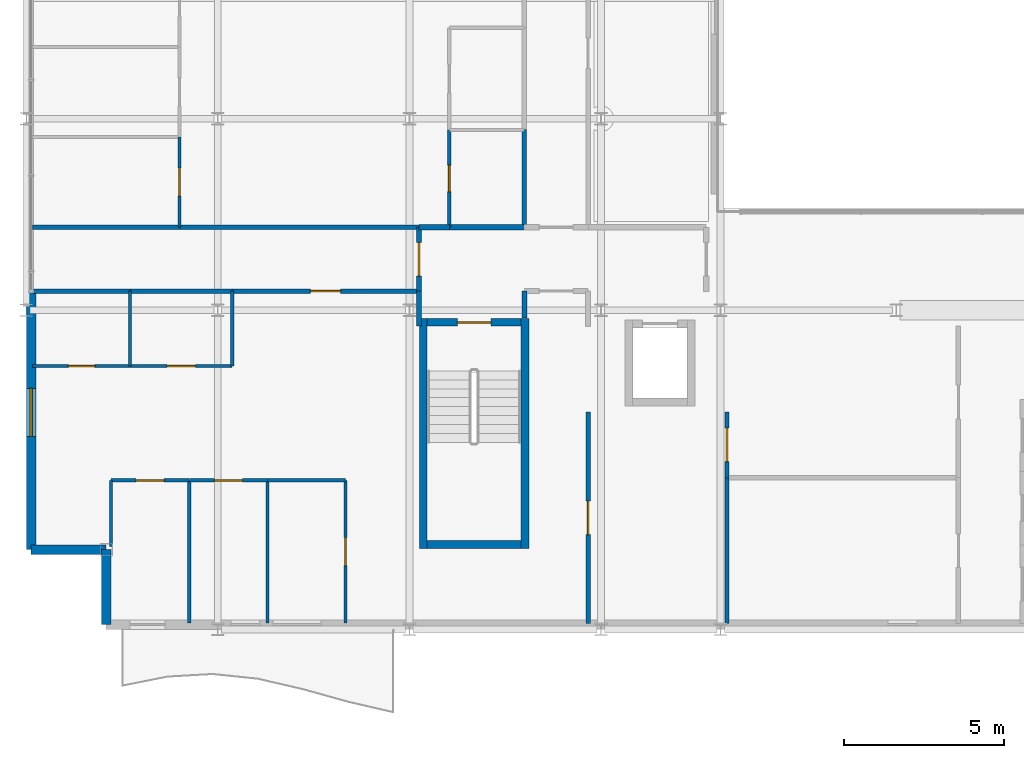
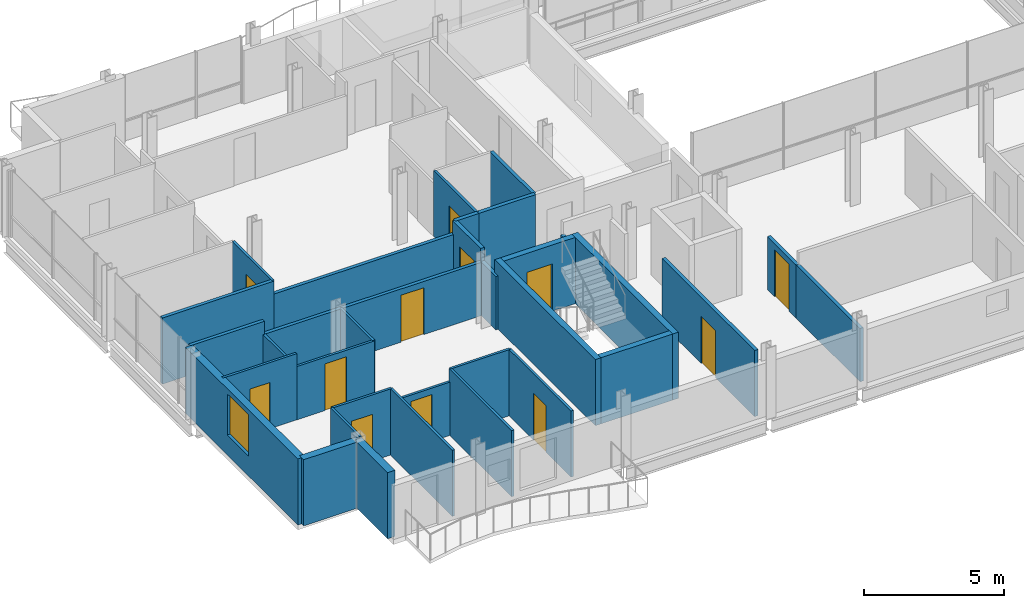
# One storey, part 28 of 35: 34 walls, 12 doors, 1 window, 13 openings.
"""IFC4 building model written with IfcOpenShell, lengths in metres."""

from ifc_helpers import new_model, si_unit, direction, frame, frame_2d, origin, place, context, subcontext, project, spatial, rectangle, extrude, material, layer, layer_set, type_object, element, fill, save


model = new_model("IFC4")

# Units and contexts
model_context = context("Model", 3, precision=1e-05, world=origin(), true_north=direction((0.0, 1.0)))
body_context = subcontext(model_context, "Body", "Model", "MODEL_VIEW")
ifc_project = project(units=[si_unit("LENGTHUNIT", "METRE"), si_unit("AREAUNIT", "SQUARE_METRE"), si_unit("VOLUMEUNIT", "CUBIC_METRE"), si_unit("PLANEANGLEUNIT", "RADIAN"), si_unit("MASSUNIT", "GRAM", prefix="KILO")], contexts=[model_context])

# Site, building, storey
site_placement = place(None, origin())
site = spatial("IfcSite", under=ifc_project, at=site_placement, CompositionType="ELEMENT")
building_placement = place(site_placement, origin())
building = spatial("IfcBuilding", under=site, at=building_placement, Name="Brevholm Reach", CompositionType="ELEMENT")
storey_placement = place(building_placement, frame((0.0, 0.0, 183.199951171875)))
storey = spatial("IfcBuildingStorey", under=building, at=storey_placement, Name="L55", CompositionType="ELEMENT", Elevation=183.199951171875)

# Walls
ifc_material_1 = material(Name="Concrete C45/55", Category="concrete")
ifc_layer_1 = layer(ifc_material_1, 0.239990234375)
ifc_layer_set_1 = layer_set([ifc_layer_1], Name="Concrete C45/55")
wall_type_1 = type_object("IfcWallType", Name="WAL-COR-240", PredefinedType="SHEAR", material=ifc_layer_set_1)
for number, where, z_axis, x_axis, name in (
    (1, (12.429931640625, 2.5400390625, 0.0), (0.0, 0.0, 1.0), (0.0, 1.0, 0.0), "L55 Escape Stair ST-1 Core Wall W"),
    (2, (15.6201171875, 2.5400390625, 0.0), (0.0, 0.0, 1.0), (0.0, 1.0, 0.0), "L55 Escape Stair ST-1 Core Wall E"),
):
    element("IfcWall", number, at=place(storey_placement, frame(where, z_axis=z_axis, x_axis=x_axis)), inside=storey, type_object=wall_type_1, Name=name, PredefinedType="SHEAR", context=body_context, shape_type="SweptSolid", body=[
        extrude(rectangle(XDim=7.199951171875, YDim=0.239990234375, at=frame_2d((3.60009765625, 0.0))), origin(), (0.0, 0.0, 1.0), 2.89013671875),
    ])
wall_1_placement = place(storey_placement, frame((12.550048828125, 2.659912109375, 0.0), z_axis=(0.0, 0.0, 1.0), x_axis=(1.0, 0.0, 0.0)))
element("IfcWall", 3, at=wall_1_placement, inside=storey, type_object=wall_type_1, Name="L55 Escape Stair ST-1 Core Wall S", PredefinedType="SHEAR", context=body_context, shape_type="SweptSolid", body=[
    extrude(rectangle(XDim=2.949951171875, YDim=0.239990234375, at=frame_2d((1.47509765625, 0.0))), origin(), (0.0, 0.0, 1.0), 2.89013671875),
])

# Wall, opening, door
wall_2_placement = place(storey_placement, frame((15.5, 9.6201171875, 0.0), z_axis=(0.0, 0.0, 1.0), x_axis=(-1.0, 0.0, 0.0)))
wall_2 = element("IfcWall", 4, at=wall_2_placement, inside=storey, type_object=wall_type_1, Name="L55 Escape Stair ST-1 Core Wall N", PredefinedType="SHEAR", context=body_context, shape_type="SweptSolid", body=[
    extrude(rectangle(XDim=2.949951171875, YDim=0.239990234375, at=frame_2d((1.47509765625, 0.0))), origin(), (0.0, 0.0, 1.0), 2.89013671875),
])
opening_1_placement = place(wall_2_placement, frame((0.949951171875, 0.0, 0.0)))
opening_1 = element("IfcOpeningElement", 5, at=opening_1_placement, cuts=wall_2, Name="Opening SD-ST-1", PredefinedType="OPENING", context=body_context, shape_type="SweptSolid", body=[
    extrude(rectangle(XDim=1.050048828125, YDim=2.06005859375, at=frame_2d((0.52490234375, 1.030029296875))), frame((0.0, 0.1298828125, 0.0), z_axis=(0.0, -1.0, 0.0), x_axis=(1.0, 0.0, 0.0)), (0.0, 0.0, 1.0), 0.260009765625),
])
ifc_material_2 = material(Name="Hardwood-Lipped Steel-Core Fire and Smoke Door", Category="steel")
door_type_1 = type_object("IfcDoorType", Name="DOR-INT-FD60S", OperationType="NOTDEFINED", PredefinedType="DOOR", material=ifc_material_2)
door_1_placement = place(opening_1_placement, origin())
door_1 = element("IfcDoor", 6, at=door_1_placement, inside=storey, type_object=door_type_1, Name="L55 Protected Stair ST-1 Lobby Door", OperationType="SINGLE_SWING_LEFT", OverallHeight=2.06005859375, OverallWidth=1.050048828125, PredefinedType="DOOR", context=body_context, shape_type="SweptSolid", body=[
    extrude(rectangle(XDim=1.050048828125, YDim=2.06005859375, at=frame_2d((0.52490234375, 1.030029296875))), frame((0.0, 0.02490234375, 0.0), z_axis=(0.0, -1.0, 0.0), x_axis=(1.0, 0.0, 0.0)), (0.0, 0.0, 1.0), 0.050048828125),
])
fill(opening_1, door_1)

# Walls
ifc_material_3 = material(Name="Concrete C40/50", Category="concrete")
ifc_layer_2 = layer(ifc_material_3, 0.300048828125)
ifc_layer_set_2 = layer_set([ifc_layer_2], Name="Concrete C40/50")
wall_type_2 = type_object("IfcWallType", Name="WAL-EXT-300", PredefinedType="STANDARD", material=ifc_layer_set_2)
for number, where, z_axis, x_axis, name in (
    (7, (2.5, 2.5, 0.0), (0.0, 0.0, 1.0), (0.0, -1.0, 0.0), "L55 Facade Wall WAL-L55-CSW1"),
    (8, (0.14990234375, 2.5, 0.0), (0.0, 0.0, 1.0), (1.0, 0.0, 0.0), "L55 Facade Wall WAL-L55-CSW2"),
):
    element("IfcWall", number, at=place(storey_placement, frame(where, z_axis=z_axis, x_axis=x_axis)), inside=storey, type_object=wall_type_2, Name=name, PredefinedType="STANDARD", context=body_context, shape_type="SweptSolid", body=[
        extrude(rectangle(XDim=2.35009765625, YDim=0.300048828125, at=frame_2d((1.175048828125, 0.0))), origin(), (0.0, 0.0, 1.0), 2.89013671875),
    ])

# Wall, opening, window
wall_3_placement = place(storey_placement, frame((0.14990234375, 10.550048828125, 0.0), z_axis=(0.0, 0.0, 1.0), x_axis=(0.0, -1.0, 0.0)))
wall_3 = element("IfcWall", 9, at=wall_3_placement, inside=storey, type_object=wall_type_2, Name="L55 Facade Wall WAL-L55-W-S", PredefinedType="STANDARD", context=body_context, shape_type="SweptSolid", body=[
    extrude(rectangle(XDim=8.050048828125, YDim=0.300048828125, at=frame_2d((4.02490234375, 0.0))), origin(), (0.0, 0.0, 1.0), 2.89013671875),
])
opening_2_placement = place(wall_3_placement, frame((3.0, 0.0, 0.8701171875)))
opening_2 = element("IfcOpeningElement", 10, at=opening_2_placement, cuts=wall_3, Name="Opening WN-05", PredefinedType="OPENING", context=body_context, shape_type="SweptSolid", body=[
    extrude(rectangle(XDim=1.5, YDim=1.800048828125, at=frame_2d((0.75, 0.89990234375))), frame((0.0, 0.159912109375, 0.0), z_axis=(0.0, -1.0, 0.0), x_axis=(1.0, 0.0, 0.0)), (0.0, 0.0, 1.0), 0.320068359375),
])
ifc_material_4 = material(Name="Dark Anodised Aluminium and Solar-Control IGU Glass", Category="aluminium")
window_type = type_object("IfcWindowType", Name="WIN-RES-1500", PartitioningType="SINGLE_PANEL", PredefinedType="WINDOW", material=ifc_material_4)
window_placement = place(opening_2_placement, origin())
window = element("IfcWindow", 11, at=window_placement, inside=storey, type_object=window_type, Name="L55 Window WIN-L55-WS-1", OverallHeight=1.800048828125, OverallWidth=1.5, PartitioningType="SINGLE_PANEL", PredefinedType="WINDOW", context=body_context, shape_type="SweptSolid", body=[
    extrude(rectangle(XDim=1.5, YDim=1.800048828125, at=frame_2d((0.75, 0.89990234375))), frame((0.0, 0.030029296875, 0.0), z_axis=(0.0, -1.0, 0.0), x_axis=(1.0, 0.0, 0.0)), (0.0, 0.0, 1.0), 0.06005859375),
])
fill(opening_2, window)

# Wall
ifc_material_5 = material(Name="Moisture-Resistant Acoustic Gypsum Stud Partition 100 mm", Category="gypsum")
ifc_layer_3 = layer(ifc_material_5, 0.10009765625)
ifc_layer_set_3 = layer_set([ifc_layer_3], Name="Moisture-Resistant Acoustic Gypsum Stud Partition 100 mm")
wall_type_3 = type_object("IfcWallType", Name="WAL-PRT-100", PredefinedType="PARTITIONING", material=ifc_layer_set_3)
wall_4_placement = place(storey_placement, frame((3.25, 8.25, 0.0), z_axis=(0.0, 0.0, 1.0), x_axis=(0.0, 1.0, 0.0)))
element("IfcWall", 12, at=wall_4_placement, inside=storey, type_object=wall_type_3, Name="L55 Internal Partition 057", PredefinedType="PARTITIONING", context=body_context, shape_type="SweptSolid", body=[
    extrude(rectangle(XDim=2.345947265625, YDim=0.10009765625, at=frame_2d((1.1728515625, 0.0))), origin(), (0.0, 0.0, 1.0), 2.325439453125),
])

# Wall, opening, door
wall_5_placement = place(storey_placement, frame((0.199951171875, 8.25, 0.0), z_axis=(0.0, 0.0, 1.0), x_axis=(1.0, 0.0, 0.0)))
wall_5 = element("IfcWall", 13, at=wall_5_placement, inside=storey, type_object=wall_type_3, Name="L55 Internal Partition 058", PredefinedType="PARTITIONING", context=body_context, shape_type="SweptSolid", body=[
    extrude(rectangle(XDim=3.050048828125, YDim=0.10009765625, at=frame_2d((1.52490234375, 0.0))), origin(), (0.0, 0.0, 1.0), 2.89013671875),
])
opening_3_placement = place(wall_5_placement, frame((1.114990234375, 0.0, 0.0)))
opening_3 = element("IfcOpeningElement", 14, at=opening_3_placement, cuts=wall_5, Name="Opening ID-03", PredefinedType="OPENING", context=body_context, shape_type="SweptSolid", body=[
    extrude(rectangle(XDim=0.820068359375, YDim=2.02001953125, at=frame_2d((0.41015625, 1.010009765625))), frame((0.0, 0.06005859375, 0.0), z_axis=(0.0, -1.0, 0.0), x_axis=(1.0, 0.0, 0.0)), (0.0, 0.0, 1.0), 0.1201171875),
])
ifc_material_6 = material(Name="Moisture-Resistant Painted Timber Internal Bathroom Door", Category="wood")
door_type_2 = type_object("IfcDoorType", Name="DOR-BATH-820", OperationType="NOTDEFINED", PredefinedType="DOOR", material=ifc_material_6)
door_2_placement = place(opening_3_placement, origin())
door_2 = element("IfcDoor", 15, at=door_2_placement, inside=storey, type_object=door_type_2, Name="L55 Internal Door 027", OperationType="SINGLE_SWING_RIGHT", OverallHeight=2.02001953125, OverallWidth=0.820068359375, PredefinedType="DOOR", context=body_context, shape_type="SweptSolid", body=[
    extrude(rectangle(XDim=0.820068359375, YDim=2.02001953125, at=frame_2d((0.41015625, 1.010009765625))), frame((0.0, 0.02490234375, 0.0), z_axis=(0.0, -1.0, 0.0), x_axis=(1.0, 0.0, 0.0)), (0.0, 0.0, 1.0), 0.050048828125),
])
fill(opening_3, door_2)

wall_6_placement = place(storey_placement, frame((3.25390625, 8.25, 0.0), z_axis=(0.0, 0.0, 1.0), x_axis=(1.0, 0.0, 0.0)))
wall_6 = element("IfcWall", 16, at=wall_6_placement, inside=storey, type_object=wall_type_3, Name="L55 Internal Partition 059", PredefinedType="PARTITIONING", context=body_context, shape_type="SweptSolid", body=[
    extrude(rectangle(XDim=3.196044921875, YDim=0.10009765625, at=frame_2d((1.59814453125, 0.0))), origin(), (0.0, 0.0, 1.0), 2.325439453125),
])
opening_4_placement = place(wall_6_placement, frame((1.157958984375, 0.0, 0.0)))
opening_4 = element("IfcOpeningElement", 17, at=opening_4_placement, cuts=wall_6, Name="Opening ID-01", PredefinedType="OPENING", context=body_context, shape_type="SweptSolid", body=[
    extrude(rectangle(XDim=0.8798828125, YDim=2.0400390625, at=frame_2d((0.43994140625, 1.02001953125))), frame((0.0, 0.06005859375, 0.0), z_axis=(0.0, -1.0, 0.0), x_axis=(1.0, 0.0, 0.0)), (0.0, 0.0, 1.0), 0.1201171875),
])
ifc_material_7 = material(Name="Lacquered Ash Solid-Core Acoustic Internal Door", Category="timber")
door_type_3 = type_object("IfcDoorType", Name="DOR-INT-880", OperationType="NOTDEFINED", PredefinedType="DOOR", material=ifc_material_7)
door_3_placement = place(opening_4_placement, origin())
door_3 = element("IfcDoor", 18, at=door_3_placement, inside=storey, type_object=door_type_3, Name="L55 Internal Door 028", OperationType="SINGLE_SWING_LEFT", OverallHeight=2.0400390625, OverallWidth=0.8798828125, PredefinedType="DOOR", context=body_context, shape_type="SweptSolid", body=[
    extrude(rectangle(XDim=0.8798828125, YDim=2.0400390625, at=frame_2d((0.43994140625, 1.02001953125))), frame((0.0, 0.02490234375, 0.0), z_axis=(0.0, -1.0, 0.0), x_axis=(1.0, 0.0, 0.0)), (0.0, 0.0, 1.0), 0.050048828125),
])
fill(opening_4, door_3)

# Walls
wall_7_placement = place(storey_placement, frame((6.449951171875, 8.25, 0.0), z_axis=(0.0, 0.0, 1.0), x_axis=(0.0, 1.0, 0.0)))
element("IfcWall", 19, at=wall_7_placement, inside=storey, type_object=wall_type_3, Name="L55 Internal Partition 060", PredefinedType="PARTITIONING", context=body_context, shape_type="SweptSolid", body=[
    extrude(rectangle(XDim=2.345947265625, YDim=0.10009765625, at=frame_2d((1.1728515625, 0.0))), origin(), (0.0, 0.0, 1.0), 2.325439453125),
])
wall_8_placement = place(storey_placement, frame((5.10009765625, 0.199951171875, 0.0), z_axis=(0.0, 0.0, 1.0), x_axis=(0.0, 1.0, 0.0)))
element("IfcWall", 20, at=wall_8_placement, inside=storey, type_object=wall_type_3, Name="L55 Internal Partition 061", PredefinedType="PARTITIONING", context=body_context, shape_type="SweptSolid", body=[
    extrude(rectangle(XDim=4.47216796875, YDim=0.10009765625, at=frame_2d((2.236083984375, 0.0))), origin(), (0.0, 0.0, 1.0), 2.89013671875),
])
wall_9_placement = place(storey_placement, frame((2.64990234375, 2.599365234375, 0.0), z_axis=(0.0, 0.0, 1.0), x_axis=(0.0, 1.0, 0.0)))
element("IfcWall", 21, at=wall_9_placement, inside=storey, type_object=wall_type_3, Name="L55 Internal Partition 062", PredefinedType="PARTITIONING", context=body_context, shape_type="SweptSolid", body=[
    extrude(rectangle(XDim=2.07275390625, YDim=0.10009765625, at=frame_2d((1.036376953125, 0.0))), origin(), (0.0, 0.0, 1.0), 2.89013671875),
])

# Wall, opening, door
wall_10_placement = place(storey_placement, frame((2.64990234375, 4.672119140625, 0.0), z_axis=(0.0, 0.0, 1.0), x_axis=(1.0, 0.0, 0.0)))
wall_10 = element("IfcWall", 22, at=wall_10_placement, inside=storey, type_object=wall_type_3, Name="L55 Internal Partition 063", PredefinedType="PARTITIONING", context=body_context, shape_type="SweptSolid", body=[
    extrude(rectangle(XDim=2.4501953125, YDim=0.10009765625, at=frame_2d((1.22509765625, 0.0))), origin(), (0.0, 0.0, 1.0), 2.89013671875),
])
opening_5_placement = place(wall_10_placement, frame((0.784912109375, 0.0, 0.0)))
opening_5 = element("IfcOpeningElement", 23, at=opening_5_placement, cuts=wall_10, Name="Opening ID-01", PredefinedType="OPENING", context=body_context, shape_type="SweptSolid", body=[
    extrude(rectangle(XDim=0.8798828125, YDim=2.0400390625, at=frame_2d((0.43994140625, 1.02001953125))), frame((0.0, 0.06005859375, 0.0), z_axis=(0.0, -1.0, 0.0), x_axis=(1.0, 0.0, 0.0)), (0.0, 0.0, 1.0), 0.1201171875),
])
door_4_placement = place(opening_5_placement, origin())
door_4 = element("IfcDoor", 24, at=door_4_placement, inside=storey, type_object=door_type_3, Name="L55 Internal Door 029", OperationType="SINGLE_SWING_RIGHT", OverallHeight=2.0400390625, OverallWidth=0.8798828125, PredefinedType="DOOR", context=body_context, shape_type="SweptSolid", body=[
    extrude(rectangle(XDim=0.8798828125, YDim=2.0400390625, at=frame_2d((0.43994140625, 1.02001953125))), frame((0.0, 0.02490234375, 0.0), z_axis=(0.0, -1.0, 0.0), x_axis=(1.0, 0.0, 0.0)), (0.0, 0.0, 1.0), 0.050048828125),
])
fill(opening_5, door_4)

# Wall
wall_11_placement = place(storey_placement, frame((7.550048828125, 0.199951171875, 0.0), z_axis=(0.0, 0.0, 1.0), x_axis=(0.0, 1.0, 0.0)))
element("IfcWall", 25, at=wall_11_placement, inside=storey, type_object=wall_type_3, Name="L55 Internal Partition 064", PredefinedType="PARTITIONING", context=body_context, shape_type="SweptSolid", body=[
    extrude(rectangle(XDim=4.47216796875, YDim=0.10009765625, at=frame_2d((2.236083984375, 0.0))), origin(), (0.0, 0.0, 1.0), 2.89013671875),
])

# Wall, opening, door
wall_12_placement = place(storey_placement, frame((5.10400390625, 4.672119140625, 0.0), z_axis=(0.0, 0.0, 1.0), x_axis=(1.0, 0.0, 0.0)))
wall_12 = element("IfcWall", 26, at=wall_12_placement, inside=storey, type_object=wall_type_3, Name="L55 Internal Partition 065", PredefinedType="PARTITIONING", context=body_context, shape_type="SweptSolid", body=[
    extrude(rectangle(XDim=2.446044921875, YDim=0.10009765625, at=frame_2d((1.22314453125, 0.0))), origin(), (0.0, 0.0, 1.0), 2.325439453125),
])
opening_6_placement = place(wall_12_placement, frame((0.782958984375, 0.0, 0.0)))
opening_6 = element("IfcOpeningElement", 27, at=opening_6_placement, cuts=wall_12, Name="Opening ID-01", PredefinedType="OPENING", context=body_context, shape_type="SweptSolid", body=[
    extrude(rectangle(XDim=0.8798828125, YDim=2.0400390625, at=frame_2d((0.43994140625, 1.02001953125))), frame((0.0, 0.06005859375, 0.0), z_axis=(0.0, -1.0, 0.0), x_axis=(1.0, 0.0, 0.0)), (0.0, 0.0, 1.0), 0.1201171875),
])
door_5_placement = place(opening_6_placement, origin())
door_5 = element("IfcDoor", 28, at=door_5_placement, inside=storey, type_object=door_type_3, Name="L55 Internal Door 030", OperationType="SINGLE_SWING_LEFT", OverallHeight=2.0400390625, OverallWidth=0.8798828125, PredefinedType="DOOR", context=body_context, shape_type="SweptSolid", body=[
    extrude(rectangle(XDim=0.8798828125, YDim=2.0400390625, at=frame_2d((0.43994140625, 1.02001953125))), frame((0.0, 0.02490234375, 0.0), z_axis=(0.0, -1.0, 0.0), x_axis=(1.0, 0.0, 0.0)), (0.0, 0.0, 1.0), 0.050048828125),
])
fill(opening_6, door_5)

wall_13_placement = place(storey_placement, frame((10.0, 0.199951171875, 0.0), z_axis=(0.0, 0.0, 1.0), x_axis=(0.0, 1.0, 0.0)))
wall_13 = element("IfcWall", 29, at=wall_13_placement, inside=storey, type_object=wall_type_3, Name="L55 Internal Partition 066", PredefinedType="PARTITIONING", context=body_context, shape_type="SweptSolid", body=[
    extrude(rectangle(XDim=4.47216796875, YDim=0.10009765625, at=frame_2d((2.236083984375, 0.0))), origin(), (0.0, 0.0, 1.0), 2.89013671875),
])
opening_7_placement = place(wall_13_placement, frame((1.7958984375, 0.0, 0.0)))
opening_7 = element("IfcOpeningElement", 30, at=opening_7_placement, cuts=wall_13, Name="Opening ID-01", PredefinedType="OPENING", context=body_context, shape_type="SweptSolid", body=[
    extrude(rectangle(XDim=0.8798828125, YDim=2.0400390625, at=frame_2d((0.43994140625, 1.02001953125))), frame((0.0, 0.06005859375, 0.0), z_axis=(0.0, -1.0, 0.0), x_axis=(1.0, 0.0, 0.0)), (0.0, 0.0, 1.0), 0.1201171875),
])
door_6_placement = place(opening_7_placement, origin())
door_6 = element("IfcDoor", 31, at=door_6_placement, inside=storey, type_object=door_type_3, Name="L55 Internal Door 031", OperationType="SINGLE_SWING_RIGHT", OverallHeight=2.0400390625, OverallWidth=0.8798828125, PredefinedType="DOOR", context=body_context, shape_type="SweptSolid", body=[
    extrude(rectangle(XDim=0.8798828125, YDim=2.0400390625, at=frame_2d((0.43994140625, 1.02001953125))), frame((0.0, 0.02490234375, 0.0), z_axis=(0.0, -1.0, 0.0), x_axis=(1.0, 0.0, 0.0)), (0.0, 0.0, 1.0), 0.050048828125),
])
fill(opening_7, door_6)

# Wall
wall_14_placement = place(storey_placement, frame((7.553955078125, 4.672119140625, 0.0), z_axis=(0.0, 0.0, 1.0), x_axis=(1.0, 0.0, 0.0)))
element("IfcWall", 32, at=wall_14_placement, inside=storey, type_object=wall_type_3, Name="L55 Internal Partition 067", PredefinedType="PARTITIONING", context=body_context, shape_type="SweptSolid", body=[
    extrude(rectangle(XDim=2.446044921875, YDim=0.10009765625, at=frame_2d((1.22314453125, 0.0))), origin(), (0.0, 0.0, 1.0), 2.89013671875),
])

# Wall, opening, door
wall_15_placement = place(storey_placement, frame((13.25, 12.60400390625, 0.0), z_axis=(0.0, 0.0, 1.0), x_axis=(0.0, 1.0, 0.0)))
wall_15 = element("IfcWall", 33, at=wall_15_placement, inside=storey, type_object=wall_type_3, Name="L55 Internal Partition 069", PredefinedType="PARTITIONING", context=body_context, shape_type="SweptSolid", body=[
    extrude(rectangle(XDim=3.0458984375, YDim=0.10009765625, at=frame_2d((1.52294921875, 0.0))), origin(), (0.0, 0.0, 1.0), 2.89013671875),
])
opening_8_placement = place(wall_15_placement, frame((1.113037109375, 0.0, 0.0)))
opening_8 = element("IfcOpeningElement", 34, at=opening_8_placement, cuts=wall_15, Name="Opening ID-03", PredefinedType="OPENING", context=body_context, shape_type="SweptSolid", body=[
    extrude(rectangle(XDim=0.820068359375, YDim=2.02001953125, at=frame_2d((0.41015625, 1.010009765625))), frame((0.0, 0.06005859375, 0.0), z_axis=(0.0, -1.0, 0.0), x_axis=(1.0, 0.0, 0.0)), (0.0, 0.0, 1.0), 0.1201171875),
])
door_7_placement = place(opening_8_placement, origin())
door_7 = element("IfcDoor", 35, at=door_7_placement, inside=storey, type_object=door_type_2, Name="L55 Internal Door 032", OperationType="SINGLE_SWING_LEFT", OverallHeight=2.02001953125, OverallWidth=0.820068359375, PredefinedType="DOOR", context=body_context, shape_type="SweptSolid", body=[
    extrude(rectangle(XDim=0.820068359375, YDim=2.02001953125, at=frame_2d((0.41015625, 1.010009765625))), frame((0.0, 0.02490234375, 0.0), z_axis=(0.0, -1.0, 0.0), x_axis=(1.0, 0.0, 0.0)), (0.0, 0.0, 1.0), 0.050048828125),
])
fill(opening_8, door_7)

wall_16_placement = place(storey_placement, frame((4.800048828125, 12.60400390625, 0.0), z_axis=(0.0, 0.0, 1.0), x_axis=(0.0, 1.0, 0.0)))
wall_16 = element("IfcWall", 36, at=wall_16_placement, inside=storey, type_object=wall_type_3, Name="L55 Internal Partition 076", PredefinedType="PARTITIONING", context=body_context, shape_type="SweptSolid", body=[
    extrude(rectangle(XDim=2.821044921875, YDim=0.10009765625, at=frame_2d((1.41064453125, 0.0))), origin(), (0.0, 0.0, 1.0), 2.89013671875),
])
opening_9_placement = place(wall_16_placement, frame((0.970458984375, 0.0, 0.0)))
opening_9 = element("IfcOpeningElement", 37, at=opening_9_placement, cuts=wall_16, Name="Opening ID-01", PredefinedType="OPENING", context=body_context, shape_type="SweptSolid", body=[
    extrude(rectangle(XDim=0.8798828125, YDim=2.0400390625, at=frame_2d((0.43994140625, 1.02001953125))), frame((0.0, 0.06005859375, 0.0), z_axis=(0.0, -1.0, 0.0), x_axis=(1.0, 0.0, 0.0)), (0.0, 0.0, 1.0), 0.1201171875),
])
door_8_placement = place(opening_9_placement, origin())
door_8 = element("IfcDoor", 38, at=door_8_placement, inside=storey, type_object=door_type_3, Name="L55 Internal Door 035", OperationType="SINGLE_SWING_RIGHT", OverallHeight=2.0400390625, OverallWidth=0.8798828125, PredefinedType="DOOR", context=body_context, shape_type="SweptSolid", body=[
    extrude(rectangle(XDim=0.8798828125, YDim=2.0400390625, at=frame_2d((0.43994140625, 1.02001953125))), frame((0.0, 0.02490234375, 0.0), z_axis=(0.0, -1.0, 0.0), x_axis=(1.0, 0.0, 0.0)), (0.0, 0.0, 1.0), 0.050048828125),
])
fill(opening_9, door_8)

# Wall
ifc_material_8 = material(Name="Twin-Stud Acoustic Fire-Rated Gypsum Partition 140 mm", Category="gypsum")
ifc_layer_4 = layer(ifc_material_8, 0.139892578125)
ifc_layer_set_4 = layer_set([ifc_layer_4], Name="Twin-Stud Acoustic Fire-Rated Gypsum Partition 140 mm")
wall_type_4 = type_object("IfcWallType", Name="WAL-PRT-140", PredefinedType="PARTITIONING", material=ifc_layer_set_4)
wall_17_placement = place(storey_placement, frame((21.949951171875, 0.179931640625, 0.0), z_axis=(0.0, 0.0, 1.0), x_axis=(0.0, 1.0, 0.0)))
element("IfcWall", 39, at=wall_17_placement, inside=storey, type_object=wall_type_4, Name="L55 Internal Partition 007", PredefinedType="PARTITIONING", context=body_context, shape_type="SweptSolid", body=[
    extrude(rectangle(XDim=4.567138671875, YDim=0.139892578125, at=frame_2d((2.28369140625, 0.0))), origin(), (0.0, 0.0, 1.0), 2.325439453125),
])

# Wall, opening, door
wall_18_placement = place(storey_placement, frame((21.949951171875, 4.7509765625, 0.0), z_axis=(0.0, 0.0, 1.0), x_axis=(0.0, 1.0, 0.0)))
wall_18 = element("IfcWall", 40, at=wall_18_placement, inside=storey, type_object=wall_type_4, Name="L55 Internal Partition 008", PredefinedType="PARTITIONING", context=body_context, shape_type="SweptSolid", body=[
    extrude(rectangle(XDim=2.060302734375, YDim=0.139892578125, at=frame_2d((1.0302734375, 0.0))), origin(), (0.0, 0.0, 1.0), 2.325439453125),
])
opening_10_placement = place(wall_18_placement, frame((0.505126953125, 0.0, 0.0)))
opening_10 = element("IfcOpeningElement", 41, at=opening_10_placement, cuts=wall_18, Name="Opening FD-01", PredefinedType="OPENING", context=body_context, shape_type="SweptSolid", body=[
    extrude(rectangle(XDim=1.050048828125, YDim=2.06005859375, at=frame_2d((0.52490234375, 1.030029296875))), frame((0.0, 0.079833984375, 0.0), z_axis=(0.0, -1.0, 0.0), x_axis=(1.0, 0.0, 0.0)), (0.0, 0.0, 1.0), 0.159912109375),
])
door_9_placement = place(opening_10_placement, origin())
door_9 = element("IfcDoor", 42, at=door_9_placement, inside=storey, type_object=door_type_1, Name="L55 Internal Door 006", OperationType="SINGLE_SWING_LEFT", OverallHeight=2.06005859375, OverallWidth=1.050048828125, PredefinedType="DOOR", context=body_context, shape_type="SweptSolid", body=[
    extrude(rectangle(XDim=1.050048828125, YDim=2.06005859375, at=frame_2d((0.52490234375, 1.030029296875))), frame((0.0, 0.02490234375, 0.0), z_axis=(0.0, -1.0, 0.0), x_axis=(1.0, 0.0, 0.0)), (0.0, 0.0, 1.0), 0.050048828125),
])
fill(opening_10, door_9)

wall_19_placement = place(storey_placement, frame((17.60009765625, 0.179931640625, 0.0), z_axis=(0.0, 0.0, 1.0), x_axis=(0.0, 1.0, 0.0)))
wall_19 = element("IfcWall", 43, at=wall_19_placement, inside=storey, type_object=wall_type_4, Name="L55 Internal Partition 018", PredefinedType="PARTITIONING", context=body_context, shape_type="SweptSolid", body=[
    extrude(rectangle(XDim=6.63134765625, YDim=0.139892578125, at=frame_2d((3.315673828125, 0.0))), origin(), (0.0, 0.0, 1.0), 2.89013671875),
])
opening_11_placement = place(wall_19_placement, frame((2.790771484375, 0.0, 0.0)))
opening_11 = element("IfcOpeningElement", 44, at=opening_11_placement, cuts=wall_19, Name="Opening FD-01", PredefinedType="OPENING", context=body_context, shape_type="SweptSolid", body=[
    extrude(rectangle(XDim=1.050048828125, YDim=2.06005859375, at=frame_2d((0.52490234375, 1.030029296875))), frame((0.0, 0.079833984375, 0.0), z_axis=(0.0, -1.0, 0.0), x_axis=(1.0, 0.0, 0.0)), (0.0, 0.0, 1.0), 0.159912109375),
])
door_10_placement = place(opening_11_placement, origin())
door_10 = element("IfcDoor", 45, at=door_10_placement, inside=storey, type_object=door_type_1, Name="L55 Internal Door 011", OperationType="SINGLE_SWING_RIGHT", OverallHeight=2.06005859375, OverallWidth=1.050048828125, PredefinedType="DOOR", context=body_context, shape_type="SweptSolid", body=[
    extrude(rectangle(XDim=1.050048828125, YDim=2.06005859375, at=frame_2d((0.52490234375, 1.030029296875))), frame((0.0, 0.02490234375, 0.0), z_axis=(0.0, -1.0, 0.0), x_axis=(1.0, 0.0, 0.0)), (0.0, 0.0, 1.0), 0.050048828125),
])
fill(opening_11, door_10)

# Walls
wall_20_placement = place(storey_placement, frame((15.60009765625, 12.60400390625, 0.0), z_axis=(0.0, 0.0, 1.0), x_axis=(0.0, 1.0, 0.0)))
element("IfcWall", 46, at=wall_20_placement, inside=storey, type_object=wall_type_4, Name="L55 Internal Partition 039", PredefinedType="PARTITIONING", context=body_context, shape_type="SweptSolid", body=[
    extrude(rectangle(XDim=3.057373046875, YDim=0.139892578125, at=frame_2d((1.52880859375, 0.0))), origin(), (0.0, 0.0, 1.0), 2.89013671875),
])
wall_21_placement = place(storey_placement, frame((0.199951171875, 10.60009765625, 0.0), z_axis=(0.0, 0.0, 1.0), x_axis=(1.0, 0.0, 0.0)))
element("IfcWall", 47, at=wall_21_placement, inside=storey, type_object=wall_type_4, Name="L55 Internal Partition 052", PredefinedType="PARTITIONING", context=body_context, shape_type="SweptSolid", body=[
    extrude(rectangle(XDim=3.061279296875, YDim=0.139892578125, at=frame_2d((1.53076171875, 0.0))), origin(), (0.0, 0.0, 1.0), 2.89013671875),
])
wall_22_placement = place(storey_placement, frame((3.24267578125, 10.60009765625, 0.0), z_axis=(0.0, 0.0, 1.0), x_axis=(1.0, 0.0, 0.0)))
element("IfcWall", 48, at=wall_22_placement, inside=storey, type_object=wall_type_4, Name="L55 Internal Partition 053", PredefinedType="PARTITIONING", context=body_context, shape_type="SweptSolid", body=[
    extrude(rectangle(XDim=3.218505859375, YDim=0.139892578125, at=frame_2d((1.609375, 0.0))), origin(), (0.0, 0.0, 1.0), 2.325439453125),
])

# Wall, opening, door
wall_23_placement = place(storey_placement, frame((6.442626953125, 10.60009765625, 0.0), z_axis=(0.0, 0.0, 1.0), x_axis=(1.0, 0.0, 0.0)))
wall_23 = element("IfcWall", 49, at=wall_23_placement, inside=storey, type_object=wall_type_4, Name="L55 Internal Partition 054", PredefinedType="PARTITIONING", context=body_context, shape_type="SweptSolid", body=[
    extrude(rectangle(XDim=5.853271484375, YDim=0.139892578125, at=frame_2d((2.9267578125, 0.0))), origin(), (0.0, 0.0, 1.0), 2.325439453125),
])
opening_12_placement = place(wall_23_placement, frame((2.45166015625, 0.0, 0.0)))
opening_12 = element("IfcOpeningElement", 50, at=opening_12_placement, cuts=wall_23, Name="Opening ID-30", PredefinedType="OPENING", context=body_context, shape_type="SweptSolid", body=[
    extrude(rectangle(XDim=0.949951171875, YDim=2.050048828125, at=frame_2d((0.47509765625, 1.02490234375))), frame((0.0, 0.079833984375, 0.0), z_axis=(0.0, -1.0, 0.0), x_axis=(1.0, 0.0, 0.0)), (0.0, 0.0, 1.0), 0.159912109375),
])
ifc_material_9 = material(Name="European Oak Veneered Solid-Core Fire Entrance Door", Category="timber")
door_type_4 = type_object("IfcDoorType", Name="DOR-FLT-FD30S", OperationType="NOTDEFINED", PredefinedType="DOOR", material=ifc_material_9)
door_11_placement = place(opening_12_placement, origin())
door_11 = element("IfcDoor", 51, at=door_11_placement, inside=storey, type_object=door_type_4, Name="L55 Internal Door 026", OperationType="SINGLE_SWING_LEFT", OverallHeight=2.050048828125, OverallWidth=0.949951171875, PredefinedType="DOOR", context=body_context, shape_type="SweptSolid", body=[
    extrude(rectangle(XDim=0.949951171875, YDim=2.050048828125, at=frame_2d((0.47509765625, 1.02490234375))), frame((0.0, 0.02490234375, 0.0), z_axis=(0.0, -1.0, 0.0), x_axis=(1.0, 0.0, 0.0)), (0.0, 0.0, 1.0), 0.050048828125),
])
fill(opening_12, door_11)

# Walls
wall_24_placement = place(storey_placement, frame((0.199951171875, 12.60009765625, 0.0), z_axis=(0.0, 0.0, 1.0), x_axis=(1.0, 0.0, 0.0)))
element("IfcWall", 52, at=wall_24_placement, inside=storey, type_object=wall_type_4, Name="L55 Internal Partition 055", PredefinedType="PARTITIONING", context=body_context, shape_type="SweptSolid", body=[
    extrude(rectangle(XDim=4.611328125, YDim=0.139892578125, at=frame_2d((2.3056640625, 0.0))), origin(), (0.0, 0.0, 1.0), 2.89013671875),
])
wall_25_placement = place(storey_placement, frame((4.792724609375, 12.60009765625, 0.0), z_axis=(0.0, 0.0, 1.0), x_axis=(1.0, 0.0, 0.0)))
element("IfcWall", 53, at=wall_25_placement, inside=storey, type_object=wall_type_4, Name="L55 Internal Partition 056", PredefinedType="PARTITIONING", context=body_context, shape_type="SweptSolid", body=[
    extrude(rectangle(XDim=7.503173828125, YDim=0.139892578125, at=frame_2d((3.75146484375, 0.0))), origin(), (0.0, 0.0, 1.0), 2.325439453125),
])
ifc_material_10 = material(Name="Twin-Frame Fire-Rated Gypsum Board and Mineral Wool 160 mm", Category="gypsum")
ifc_layer_5 = layer(ifc_material_10, 0.159912109375)
ifc_layer_set_5 = layer_set([ifc_layer_5], Name="Twin-Frame Fire-Rated Gypsum Board and Mineral Wool 160 mm")
wall_type_5 = type_object("IfcWallType", Name="WAL-PRT-160", PredefinedType="PARTITIONING", material=ifc_layer_set_5)
wall_26_placement = place(storey_placement, frame((15.60009765625, 9.75, 0.0), z_axis=(0.0, 0.0, 1.0), x_axis=(0.0, 1.0, 0.0)))
element("IfcWall", 54, at=wall_26_placement, inside=storey, type_object=wall_type_5, Name="L55 Internal Partition 019", PredefinedType="PARTITIONING", context=body_context, shape_type="SweptSolid", body=[
    extrude(rectangle(XDim=0.85009765625, YDim=0.159912109375, at=frame_2d((0.425048828125, 0.0))), origin(), (0.0, 0.0, 1.0), 2.325439453125),
])

# Wall, opening, door
wall_27_placement = place(storey_placement, frame((12.300048828125, 10.588623046875, 0.0), z_axis=(0.0, 0.0, 1.0), x_axis=(0.0, 1.0, 0.0)))
wall_27 = element("IfcWall", 55, at=wall_27_placement, inside=storey, type_object=wall_type_5, Name="L55 Internal Partition 027", PredefinedType="PARTITIONING", context=body_context, shape_type="SweptSolid", body=[
    extrude(rectangle(XDim=2.011474609375, YDim=0.159912109375, at=frame_2d((1.005859375, 0.0))), origin(), (0.0, 0.0, 1.0), 2.89013671875),
])
opening_13_placement = place(wall_27_placement, frame((0.480712890625, 0.0, 0.0)))
opening_13 = element("IfcOpeningElement", 56, at=opening_13_placement, cuts=wall_27, Name="Opening FD-01", PredefinedType="OPENING", context=body_context, shape_type="SweptSolid", body=[
    extrude(rectangle(XDim=1.050048828125, YDim=2.06005859375, at=frame_2d((0.52490234375, 1.030029296875))), frame((0.0, 0.08984375, 0.0), z_axis=(0.0, -1.0, 0.0), x_axis=(1.0, 0.0, 0.0)), (0.0, 0.0, 1.0), 0.179931640625),
])
door_12_placement = place(opening_13_placement, origin())
door_12 = element("IfcDoor", 57, at=door_12_placement, inside=storey, type_object=door_type_1, Name="L55 Internal Door 015", OperationType="SINGLE_SWING_RIGHT", OverallHeight=2.06005859375, OverallWidth=1.050048828125, PredefinedType="DOOR", context=body_context, shape_type="SweptSolid", body=[
    extrude(rectangle(XDim=1.050048828125, YDim=2.06005859375, at=frame_2d((0.52490234375, 1.030029296875))), frame((0.0, 0.02490234375, 0.0), z_axis=(0.0, -1.0, 0.0), x_axis=(1.0, 0.0, 0.0)), (0.0, 0.0, 1.0), 0.050048828125),
])
fill(opening_13, door_12)

# Walls
wall_28_placement = place(storey_placement, frame((12.300048828125, 9.5, 0.0), z_axis=(0.0, 0.0, 1.0), x_axis=(0.0, 1.0, 0.0)))
element("IfcWall", 58, at=wall_28_placement, inside=storey, type_object=wall_type_5, Name="L55 Internal Partition 028", PredefinedType="PARTITIONING", context=body_context, shape_type="SweptSolid", body=[
    extrude(rectangle(XDim=1.107421875, YDim=0.159912109375, at=frame_2d((0.5537109375, 0.0))), origin(), (0.0, 0.0, 1.0), 2.325439453125),
])
wall_29_placement = place(storey_placement, frame((13.23876953125, 12.60009765625, 0.0), z_axis=(0.0, 0.0, 1.0), x_axis=(1.0, 0.0, 0.0)))
element("IfcWall", 59, at=wall_29_placement, inside=storey, type_object=wall_type_5, Name="L55 Internal Partition 029", PredefinedType="PARTITIONING", context=body_context, shape_type="SweptSolid", body=[
    extrude(rectangle(XDim=2.36865234375, YDim=0.159912109375, at=frame_2d((1.184326171875, 0.0))), origin(), (0.0, 0.0, 1.0), 2.89013671875),
])
wall_30_placement = place(storey_placement, frame((12.300048828125, 12.60009765625, 0.0), z_axis=(0.0, 0.0, 1.0), x_axis=(1.0, 0.0, 0.0)))
element("IfcWall", 60, at=wall_30_placement, inside=storey, type_object=wall_type_5, Name="L55 Internal Partition 030", PredefinedType="PARTITIONING", context=body_context, shape_type="SweptSolid", body=[
    extrude(rectangle(XDim=0.957275390625, YDim=0.159912109375, at=frame_2d((0.478515625, 0.0))), origin(), (0.0, 0.0, 1.0), 2.89013671875),
])

save(model, "model.ifc")
